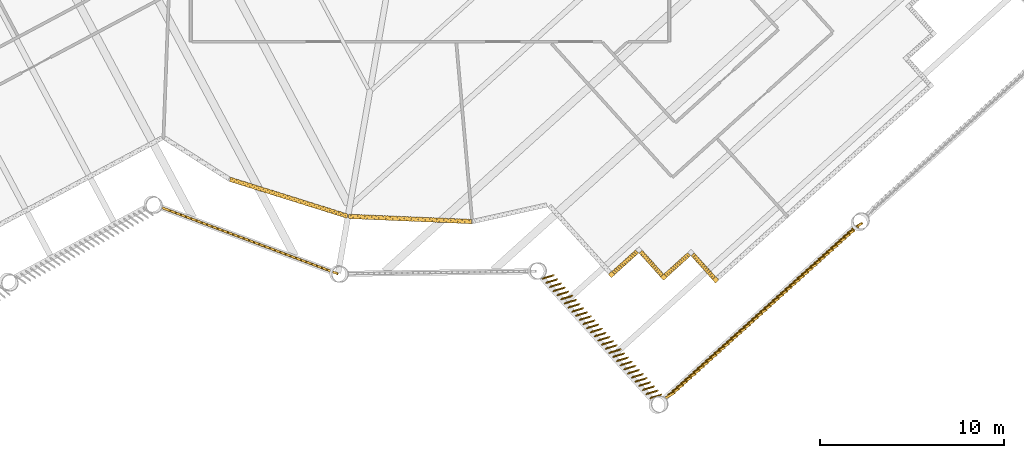
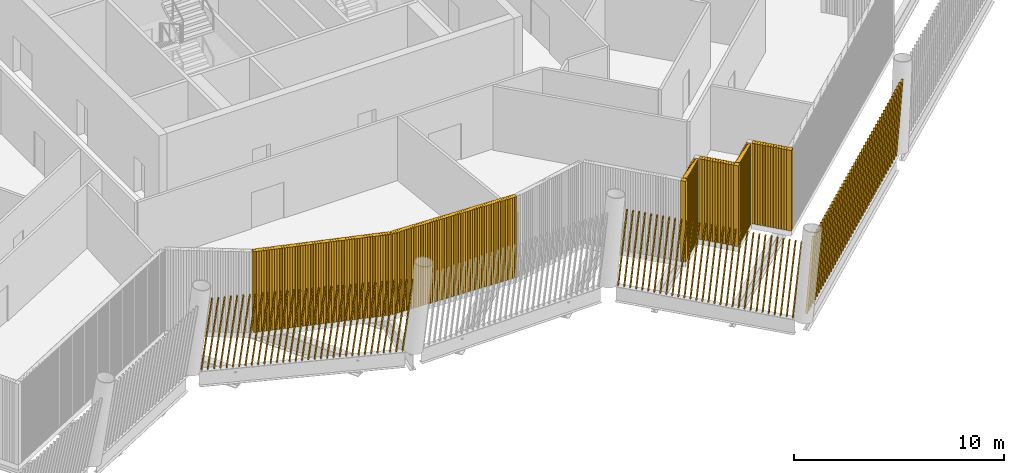
# One storey, part 11 of 21: 12 shading devices.
"""IFC4 building model written with IfcOpenShell, lengths in metres."""

from ifc_helpers import new_model, si_unit, direction, frame, frame_2d, origin, origin_2d, place, context, subcontext, project, spatial, rectangle, composite_profile, extrude, material, type_object, element, save


model = new_model("IFC4")

# Units and contexts
model_context = context("Model", 3, precision=1e-05, world=origin(), true_north=direction((0.0, 1.0)))
body_context = subcontext(model_context, "Body", "Model", "MODEL_VIEW")
ifc_project = project(units=[si_unit("LENGTHUNIT", "METRE"), si_unit("AREAUNIT", "SQUARE_METRE"), si_unit("VOLUMEUNIT", "CUBIC_METRE"), si_unit("PLANEANGLEUNIT", "RADIAN"), si_unit("MASSUNIT", "GRAM", prefix="KILO")], contexts=[model_context])

# Site, building, storey
site_placement = place(None, origin())
site = spatial("IfcSite", under=ifc_project, at=site_placement, CompositionType="ELEMENT")
building_placement = place(site_placement, origin())
building = spatial("IfcBuilding", under=site, at=building_placement, Name="Tarsis Ring Headquarters", CompositionType="ELEMENT")
storey_placement = place(building_placement, frame((0.0, 0.0, 398.60009765625)))
storey = spatial("IfcBuildingStorey", under=building, at=storey_placement, Name="L94", CompositionType="ELEMENT", Elevation=398.60009765625)

# Shading devices
ifc_material_1 = material(Name="Aluminium louvre", Category="aluminium")
shading_device_type_1 = type_object("IfcShadingDeviceType", Name="Plant louvre fin", PredefinedType="USERDEFINED", material=ifc_material_1)
shading_device_1_placement = place(storey_placement, frame((-10.88623046875, -23.469970703125, 0.0), z_axis=(0.0, 0.0, 1.0), x_axis=(0.954124441539, -0.299371617449, 0.0)))
element("IfcShadingDevice", 1, at=shading_device_1_placement, inside=storey, type_object=shading_device_type_1, Name="Louvre L94-03", ObjectType="Louvre", PredefinedType="USERDEFINED", context=body_context, shape_type="SweptSolid", body=[
    extrude(composite_profile([rectangle(XDim=0.1201171875, YDim=0.239990234375, at=frame_2d((0.076171875, 0.0), x_axis=(0.990268068742, 0.13917310096))), rectangle(XDim=0.1201171875, YDim=0.239990234375, at=frame_2d((0.202392578125, 0.0), x_axis=(0.990268068742, 0.13917310096))), rectangle(XDim=0.1201171875, YDim=0.239990234375, at=frame_2d((0.328857421875, 0.0), x_axis=(0.990268068742, 0.13917310096))), rectangle(XDim=0.1201171875, YDim=0.239990234375, at=frame_2d((0.455078125, 0.0), x_axis=(0.990268068742, 0.13917310096))), rectangle(XDim=0.1201171875, YDim=0.239990234375, at=frame_2d((0.58154296875, 0.0), x_axis=(0.990268068742, 0.13917310096))), rectangle(XDim=0.1201171875, YDim=0.239990234375, at=frame_2d((0.707763671875, 0.0), x_axis=(0.990268068742, 0.13917310096))), rectangle(XDim=0.1201171875, YDim=0.239990234375, at=frame_2d((0.834228515625, 0.0), x_axis=(0.990268068742, 0.13917310096))), rectangle(XDim=0.1201171875, YDim=0.239990234375, at=frame_2d((0.96044921875, 0.0), x_axis=(0.990268068742, 0.13917310096))), rectangle(XDim=0.1201171875, YDim=0.239990234375, at=frame_2d((1.0869140625, 0.0), x_axis=(0.990268068742, 0.13917310096))), rectangle(XDim=0.1201171875, YDim=0.239990234375, at=frame_2d((1.213134765625, 0.0), x_axis=(0.990268068742, 0.13917310096))), rectangle(XDim=0.1201171875, YDim=0.239990234375, at=frame_2d((1.33935546875, 0.0), x_axis=(0.990268068742, 0.13917310096))), rectangle(XDim=0.1201171875, YDim=0.239990234375, at=frame_2d((1.4658203125, 0.0), x_axis=(0.990268068742, 0.13917310096))), rectangle(XDim=0.1201171875, YDim=0.239990234375, at=frame_2d((1.592041015625, 0.0), x_axis=(0.990268068742, 0.13917310096))), rectangle(XDim=0.1201171875, YDim=0.239990234375, at=frame_2d((1.718505859375, 0.0), x_axis=(0.990268068742, 0.13917310096))), rectangle(XDim=0.1201171875, YDim=0.239990234375, at=frame_2d((1.8447265625, 0.0), x_axis=(0.990268068742, 0.13917310096))), rectangle(XDim=0.1201171875, YDim=0.239990234375, at=frame_2d((1.97119140625, 0.0), x_axis=(0.990268068742, 0.13917310096))), rectangle(XDim=0.1201171875, YDim=0.239990234375, at=frame_2d((2.097412109375, 0.0), x_axis=(0.990268068742, 0.13917310096))), rectangle(XDim=0.1201171875, YDim=0.239990234375, at=frame_2d((2.223876953125, 0.0), x_axis=(0.990268068742, 0.13917310096))), rectangle(XDim=0.1201171875, YDim=0.239990234375, at=frame_2d((2.35009765625, 0.0), x_axis=(0.990268068742, 0.13917310096))), rectangle(XDim=0.1201171875, YDim=0.239990234375, at=frame_2d((2.476318359375, 0.0), x_axis=(0.990268068742, 0.13917310096))), rectangle(XDim=0.1201171875, YDim=0.239990234375, at=frame_2d((2.602783203125, 0.0), x_axis=(0.990268068742, 0.13917310096))), rectangle(XDim=0.1201171875, YDim=0.239990234375, at=frame_2d((2.72900390625, 0.0), x_axis=(0.990268068742, 0.13917310096))), rectangle(XDim=0.1201171875, YDim=0.239990234375, at=frame_2d((2.85546875, 0.0), x_axis=(0.990268068742, 0.13917310096))), rectangle(XDim=0.1201171875, YDim=0.239990234375, at=frame_2d((2.981689453125, 0.0), x_axis=(0.990268068742, 0.13917310096))), rectangle(XDim=0.1201171875, YDim=0.239990234375, at=frame_2d((3.108154296875, 0.0), x_axis=(0.990268068742, 0.13917310096))), rectangle(XDim=0.1201171875, YDim=0.239990234375, at=frame_2d((3.234375, 0.0), x_axis=(0.990268068742, 0.13917310096))), rectangle(XDim=0.1201171875, YDim=0.239990234375, at=frame_2d((3.36083984375, 0.0), x_axis=(0.990268068742, 0.13917310096))), rectangle(XDim=0.1201171875, YDim=0.239990234375, at=frame_2d((3.487060546875, 0.0), x_axis=(0.990268068742, 0.13917310096))), rectangle(XDim=0.1201171875, YDim=0.239990234375, at=frame_2d((3.61328125, 0.0), x_axis=(0.990268068742, 0.13917310096))), rectangle(XDim=0.1201171875, YDim=0.239990234375, at=frame_2d((3.73974609375, 0.0), x_axis=(0.990268068742, 0.13917310096))), rectangle(XDim=0.1201171875, YDim=0.239990234375, at=frame_2d((3.865966796875, 0.0), x_axis=(0.990268068742, 0.13917310096))), rectangle(XDim=0.1201171875, YDim=0.239990234375, at=frame_2d((3.992431640625, 0.0), x_axis=(0.990268068742, 0.13917310096))), rectangle(XDim=0.1201171875, YDim=0.239990234375, at=frame_2d((4.11865234375, 0.0), x_axis=(0.990268068742, 0.13917310096))), rectangle(XDim=0.1201171875, YDim=0.239990234375, at=frame_2d((4.2451171875, 0.0), x_axis=(0.990268068742, 0.13917310096))), rectangle(XDim=0.1201171875, YDim=0.239990234375, at=frame_2d((4.371337890625, 0.0), x_axis=(0.990268068742, 0.13917310096))), rectangle(XDim=0.1201171875, YDim=0.239990234375, at=frame_2d((4.49755859375, 0.0), x_axis=(0.990268068742, 0.13917310096))), rectangle(XDim=0.1201171875, YDim=0.239990234375, at=frame_2d((4.6240234375, 0.0), x_axis=(0.990268068742, 0.13917310096))), rectangle(XDim=0.1201171875, YDim=0.239990234375, at=frame_2d((4.750244140625, 0.0), x_axis=(0.990268068742, 0.13917310096))), rectangle(XDim=0.1201171875, YDim=0.239990234375, at=frame_2d((4.876708984375, 0.0), x_axis=(0.990268068742, 0.13917310096))), rectangle(XDim=0.1201171875, YDim=0.239990234375, at=frame_2d((5.0029296875, 0.0), x_axis=(0.990268068742, 0.13917310096))), rectangle(XDim=0.1201171875, YDim=0.239990234375, at=frame_2d((5.12939453125, 0.0), x_axis=(0.990268068742, 0.13917310096))), rectangle(XDim=0.1201171875, YDim=0.239990234375, at=frame_2d((5.255615234375, 0.0), x_axis=(0.990268068742, 0.13917310096))), rectangle(XDim=0.1201171875, YDim=0.239990234375, at=frame_2d((5.382080078125, 0.0), x_axis=(0.990268068742, 0.13917310096))), rectangle(XDim=0.1201171875, YDim=0.239990234375, at=frame_2d((5.50830078125, 0.0), x_axis=(0.990268068742, 0.13917310096))), rectangle(XDim=0.1201171875, YDim=0.239990234375, at=frame_2d((5.634521484375, 0.0), x_axis=(0.990268068742, 0.13917310096))), rectangle(XDim=0.1201171875, YDim=0.239990234375, at=frame_2d((5.760986328125, 0.0), x_axis=(0.990268068742, 0.13917310096))), rectangle(XDim=0.1201171875, YDim=0.239990234375, at=frame_2d((5.88720703125, 0.0), x_axis=(0.990268068742, 0.13917310096))), rectangle(XDim=0.1201171875, YDim=0.239990234375, at=frame_2d((6.013671875, 0.0), x_axis=(0.990268068742, 0.13917310096))), rectangle(XDim=0.1201171875, YDim=0.239990234375, at=frame_2d((6.139892578125, 0.0), x_axis=(0.990268068742, 0.13917310096))), rectangle(XDim=0.1201171875, YDim=0.239990234375, at=frame_2d((6.266357421875, 0.0), x_axis=(0.990268068742, 0.13917310096))), rectangle(XDim=0.1201171875, YDim=0.239990234375, at=frame_2d((6.392578125, 0.0), x_axis=(0.990268068742, 0.13917310096))), rectangle(XDim=0.1201171875, YDim=0.239990234375, at=frame_2d((6.51904296875, 0.0), x_axis=(0.990268068742, 0.13917310096))), rectangle(XDim=0.1201171875, YDim=0.239990234375, at=frame_2d((6.645263671875, 0.0), x_axis=(0.990268068742, 0.13917310096)))]), origin(), (0.0, 0.0, 1.0), 4.699951171875),
])
shading_device_2_placement = place(storey_placement, frame((-4.44091796875, -25.48779296875, 0.0), z_axis=(0.0, 0.0, 1.0), x_axis=(0.999091965713, -0.042205433677, 0.0)))
element("IfcShadingDevice", 2, at=shading_device_2_placement, inside=storey, type_object=shading_device_type_1, Name="Louvre L94-04", ObjectType="Louvre", PredefinedType="USERDEFINED", context=body_context, shape_type="SweptSolid", body=[
    extrude(composite_profile([rectangle(XDim=0.1201171875, YDim=0.239990234375, at=frame_2d((0.076171875, 0.0), x_axis=(0.990268068742, 0.13917310096))), rectangle(XDim=0.1201171875, YDim=0.239990234375, at=frame_2d((0.202392578125, 0.0), x_axis=(0.990268068742, 0.13917310096))), rectangle(XDim=0.1201171875, YDim=0.239990234375, at=frame_2d((0.328857421875, 0.0), x_axis=(0.990268068742, 0.13917310096))), rectangle(XDim=0.1201171875, YDim=0.239990234375, at=frame_2d((0.455078125, 0.0), x_axis=(0.990268068742, 0.13917310096))), rectangle(XDim=0.1201171875, YDim=0.239990234375, at=frame_2d((0.58154296875, 0.0), x_axis=(0.990268068742, 0.13917310096))), rectangle(XDim=0.1201171875, YDim=0.239990234375, at=frame_2d((0.707763671875, 0.0), x_axis=(0.990268068742, 0.13917310096))), rectangle(XDim=0.1201171875, YDim=0.239990234375, at=frame_2d((0.834228515625, 0.0), x_axis=(0.990268068742, 0.13917310096))), rectangle(XDim=0.1201171875, YDim=0.239990234375, at=frame_2d((0.96044921875, 0.0), x_axis=(0.990268068742, 0.13917310096))), rectangle(XDim=0.1201171875, YDim=0.239990234375, at=frame_2d((1.0869140625, 0.0), x_axis=(0.990268068742, 0.13917310096))), rectangle(XDim=0.1201171875, YDim=0.239990234375, at=frame_2d((1.213134765625, 0.0), x_axis=(0.990268068742, 0.13917310096))), rectangle(XDim=0.1201171875, YDim=0.239990234375, at=frame_2d((1.339599609375, 0.0), x_axis=(0.990268068742, 0.13917310096))), rectangle(XDim=0.1201171875, YDim=0.239990234375, at=frame_2d((1.4658203125, 0.0), x_axis=(0.990268068742, 0.13917310096))), rectangle(XDim=0.1201171875, YDim=0.239990234375, at=frame_2d((1.59228515625, 0.0), x_axis=(0.990268068742, 0.13917310096))), rectangle(XDim=0.1201171875, YDim=0.239990234375, at=frame_2d((1.718505859375, 0.0), x_axis=(0.990268068742, 0.13917310096))), rectangle(XDim=0.1201171875, YDim=0.239990234375, at=frame_2d((1.8447265625, 0.0), x_axis=(0.990268068742, 0.13917310096))), rectangle(XDim=0.1201171875, YDim=0.239990234375, at=frame_2d((1.97119140625, 0.0), x_axis=(0.990268068742, 0.13917310096))), rectangle(XDim=0.1201171875, YDim=0.239990234375, at=frame_2d((2.097412109375, 0.0), x_axis=(0.990268068742, 0.13917310096))), rectangle(XDim=0.1201171875, YDim=0.239990234375, at=frame_2d((2.223876953125, 0.0), x_axis=(0.990268068742, 0.13917310096))), rectangle(XDim=0.1201171875, YDim=0.239990234375, at=frame_2d((2.35009765625, 0.0), x_axis=(0.990268068742, 0.13917310096))), rectangle(XDim=0.1201171875, YDim=0.239990234375, at=frame_2d((2.4765625, 0.0), x_axis=(0.990268068742, 0.13917310096))), rectangle(XDim=0.1201171875, YDim=0.239990234375, at=frame_2d((2.602783203125, 0.0), x_axis=(0.990268068742, 0.13917310096))), rectangle(XDim=0.1201171875, YDim=0.239990234375, at=frame_2d((2.729248046875, 0.0), x_axis=(0.990268068742, 0.13917310096))), rectangle(XDim=0.1201171875, YDim=0.239990234375, at=frame_2d((2.85546875, 0.0), x_axis=(0.990268068742, 0.13917310096))), rectangle(XDim=0.1201171875, YDim=0.239990234375, at=frame_2d((2.98193359375, 0.0), x_axis=(0.990268068742, 0.13917310096))), rectangle(XDim=0.1201171875, YDim=0.239990234375, at=frame_2d((3.108154296875, 0.0), x_axis=(0.990268068742, 0.13917310096))), rectangle(XDim=0.1201171875, YDim=0.239990234375, at=frame_2d((3.234619140625, 0.0), x_axis=(0.990268068742, 0.13917310096))), rectangle(XDim=0.1201171875, YDim=0.239990234375, at=frame_2d((3.36083984375, 0.0), x_axis=(0.990268068742, 0.13917310096))), rectangle(XDim=0.1201171875, YDim=0.239990234375, at=frame_2d((3.487060546875, 0.0), x_axis=(0.990268068742, 0.13917310096))), rectangle(XDim=0.1201171875, YDim=0.239990234375, at=frame_2d((3.613525390625, 0.0), x_axis=(0.990268068742, 0.13917310096))), rectangle(XDim=0.1201171875, YDim=0.239990234375, at=frame_2d((3.73974609375, 0.0), x_axis=(0.990268068742, 0.13917310096))), rectangle(XDim=0.1201171875, YDim=0.239990234375, at=frame_2d((3.8662109375, 0.0), x_axis=(0.990268068742, 0.13917310096))), rectangle(XDim=0.1201171875, YDim=0.239990234375, at=frame_2d((3.992431640625, 0.0), x_axis=(0.990268068742, 0.13917310096))), rectangle(XDim=0.1201171875, YDim=0.239990234375, at=frame_2d((4.118896484375, 0.0), x_axis=(0.990268068742, 0.13917310096))), rectangle(XDim=0.1201171875, YDim=0.239990234375, at=frame_2d((4.2451171875, 0.0), x_axis=(0.990268068742, 0.13917310096))), rectangle(XDim=0.1201171875, YDim=0.239990234375, at=frame_2d((4.37158203125, 0.0), x_axis=(0.990268068742, 0.13917310096))), rectangle(XDim=0.1201171875, YDim=0.239990234375, at=frame_2d((4.497802734375, 0.0), x_axis=(0.990268068742, 0.13917310096))), rectangle(XDim=0.1201171875, YDim=0.239990234375, at=frame_2d((4.624267578125, 0.0), x_axis=(0.990268068742, 0.13917310096))), rectangle(XDim=0.1201171875, YDim=0.239990234375, at=frame_2d((4.75048828125, 0.0), x_axis=(0.990268068742, 0.13917310096))), rectangle(XDim=0.1201171875, YDim=0.239990234375, at=frame_2d((4.876953125, 0.0), x_axis=(0.990268068742, 0.13917310096))), rectangle(XDim=0.1201171875, YDim=0.239990234375, at=frame_2d((5.003173828125, 0.0), x_axis=(0.990268068742, 0.13917310096))), rectangle(XDim=0.1201171875, YDim=0.239990234375, at=frame_2d((5.12939453125, 0.0), x_axis=(0.990268068742, 0.13917310096))), rectangle(XDim=0.1201171875, YDim=0.239990234375, at=frame_2d((5.255859375, 0.0), x_axis=(0.990268068742, 0.13917310096))), rectangle(XDim=0.1201171875, YDim=0.239990234375, at=frame_2d((5.382080078125, 0.0), x_axis=(0.990268068742, 0.13917310096))), rectangle(XDim=0.1201171875, YDim=0.239990234375, at=frame_2d((5.508544921875, 0.0), x_axis=(0.990268068742, 0.13917310096))), rectangle(XDim=0.1201171875, YDim=0.239990234375, at=frame_2d((5.634765625, 0.0), x_axis=(0.990268068742, 0.13917310096))), rectangle(XDim=0.1201171875, YDim=0.239990234375, at=frame_2d((5.76123046875, 0.0), x_axis=(0.990268068742, 0.13917310096))), rectangle(XDim=0.1201171875, YDim=0.239990234375, at=frame_2d((5.887451171875, 0.0), x_axis=(0.990268068742, 0.13917310096))), rectangle(XDim=0.1201171875, YDim=0.239990234375, at=frame_2d((6.013916015625, 0.0), x_axis=(0.990268068742, 0.13917310096))), rectangle(XDim=0.1201171875, YDim=0.239990234375, at=frame_2d((6.14013671875, 0.0), x_axis=(0.990268068742, 0.13917310096))), rectangle(XDim=0.1201171875, YDim=0.239990234375, at=frame_2d((6.2666015625, 0.0), x_axis=(0.990268068742, 0.13917310096))), rectangle(XDim=0.1201171875, YDim=0.239990234375, at=frame_2d((6.392822265625, 0.0), x_axis=(0.990268068742, 0.13917310096))), rectangle(XDim=0.1201171875, YDim=0.239990234375, at=frame_2d((6.519287109375, 0.0), x_axis=(0.990268068742, 0.13917310096))), rectangle(XDim=0.1201171875, YDim=0.239990234375, at=frame_2d((6.6455078125, 0.0), x_axis=(0.990268068742, 0.13917310096)))]), origin(), (0.0, 0.0, 1.0), 4.699951171875),
])
for number, where, z_axis, x_axis, name in (
    (3, (9.9599609375, -28.5634765625, 0.0), (0.0, 0.0, 1.0), (0.74229105623, 0.670154876517, 0.0), "Louvre L94-07"),
    (4, (11.435302734375, -27.399658203125, 0.0), (0.0, 0.0, 1.0), (0.670107406891, -0.742223462129, 0.0), "Louvre L94-08"),
    (5, (12.78466796875, -28.707763671875, 0.0), (0.0, 0.0, 1.0), (0.7421875, 0.670200892857, 0.0), "Louvre L94-09"),
    (6, (14.260009765625, -27.5439453125, 0.0), (0.0, 0.0, 1.0), (0.670200892857, -0.7421875, 0.0), "Louvre L94-10"),
):
    element("IfcShadingDevice", number, at=place(storey_placement, frame(where, z_axis=z_axis, x_axis=x_axis)), inside=storey, type_object=shading_device_type_1, Name=name, ObjectType="Louvre", PredefinedType="USERDEFINED", context=body_context, shape_type="SweptSolid", body=[
        extrude(composite_profile([rectangle(XDim=0.1201171875, YDim=0.239990234375, at=frame_2d((0.078125, 0.0), x_axis=(0.987688340595, 0.15643446504))), rectangle(XDim=0.1201171875, YDim=0.239990234375, at=frame_2d((0.2109375, 0.0), x_axis=(0.987688340595, 0.15643446504))), rectangle(XDim=0.1201171875, YDim=0.239990234375, at=frame_2d((0.34375, 0.0), x_axis=(0.987688340595, 0.15643446504))), rectangle(XDim=0.1201171875, YDim=0.239990234375, at=frame_2d((0.4765625, 0.0), x_axis=(0.987688340595, 0.15643446504))), rectangle(XDim=0.1201171875, YDim=0.239990234375, at=frame_2d((0.609375, 0.0), x_axis=(0.987688340595, 0.15643446504))), rectangle(XDim=0.1201171875, YDim=0.239990234375, at=frame_2d((0.7421875, 0.0), x_axis=(0.987688340595, 0.15643446504))), rectangle(XDim=0.1201171875, YDim=0.239990234375, at=frame_2d((0.875, 0.0), x_axis=(0.987688340595, 0.15643446504))), rectangle(XDim=0.1201171875, YDim=0.239990234375, at=frame_2d((1.0078125, 0.0), x_axis=(0.987688340595, 0.15643446504))), rectangle(XDim=0.1201171875, YDim=0.239990234375, at=frame_2d((1.140625, 0.0), x_axis=(0.987688340595, 0.15643446504))), rectangle(XDim=0.1201171875, YDim=0.239990234375, at=frame_2d((1.2734375, 0.0), x_axis=(0.987688340595, 0.15643446504))), rectangle(XDim=0.1201171875, YDim=0.239990234375, at=frame_2d((1.40625, 0.0), x_axis=(0.987688340595, 0.15643446504))), rectangle(XDim=0.1201171875, YDim=0.239990234375, at=frame_2d((1.5390625, 0.0), x_axis=(0.987688340595, 0.15643446504))), rectangle(XDim=0.1201171875, YDim=0.239990234375, at=frame_2d((1.671875, 0.0), x_axis=(0.987688340595, 0.15643446504)))]), origin(), (0.0, 0.0, 1.0), 4.699951171875),
    ])
ifc_material_2 = material(Name="Terracotta baguette", Category="masonry")
shading_device_type_2 = type_object("IfcShadingDeviceType", Name="Terracotta baguette screen", PredefinedType="USERDEFINED", material=ifc_material_2)
shading_device_3_placement = place(storey_placement, frame((6.1015625, -28.841552734375, 0.0), z_axis=(0.0, 0.0, 1.0), x_axis=(0.670160552367, -0.742201147991, 0.0)))
element("IfcShadingDevice", 7, at=shading_device_3_placement, inside=storey, type_object=shading_device_type_2, Name="Baguette screen L94-01", ObjectType="Terracotta baguette screen", PredefinedType="USERDEFINED", context=body_context, shape_type="SweptSolid", body=[
    extrude(composite_profile([rectangle(XDim=0.06005859375, YDim=0.1201171875, at=frame_2d((0.030029296875, 0.0))), rectangle(XDim=0.06005859375, YDim=0.1201171875, at=frame_2d((0.33154296875, 0.0))), rectangle(XDim=0.06005859375, YDim=0.1201171875, at=frame_2d((0.633056640625, 0.0))), rectangle(XDim=0.06005859375, YDim=0.1201171875, at=frame_2d((0.9345703125, 0.0))), rectangle(XDim=0.06005859375, YDim=0.1201171875, at=frame_2d((1.236083984375, 0.0))), rectangle(XDim=0.06005859375, YDim=0.1201171875, at=frame_2d((1.53759765625, 0.0))), rectangle(XDim=0.06005859375, YDim=0.1201171875, at=frame_2d((1.839111328125, 0.0))), rectangle(XDim=0.06005859375, YDim=0.1201171875, at=frame_2d((2.140625, 0.0))), rectangle(XDim=0.06005859375, YDim=0.1201171875, at=frame_2d((2.442138671875, 0.0))), rectangle(XDim=0.06005859375, YDim=0.1201171875, at=frame_2d((2.74365234375, 0.0))), rectangle(XDim=0.06005859375, YDim=0.1201171875, at=frame_2d((3.045166015625, 0.0))), rectangle(XDim=0.06005859375, YDim=0.1201171875, at=frame_2d((3.3466796875, 0.0))), rectangle(XDim=0.06005859375, YDim=0.1201171875, at=frame_2d((3.648193359375, 0.0))), rectangle(XDim=0.06005859375, YDim=0.1201171875, at=frame_2d((3.94970703125, 0.0))), rectangle(XDim=0.06005859375, YDim=0.1201171875, at=frame_2d((4.251220703125, 0.0))), rectangle(XDim=0.06005859375, YDim=0.1201171875, at=frame_2d((4.552978515625, 0.0))), rectangle(XDim=0.06005859375, YDim=0.1201171875, at=frame_2d((4.8544921875, 0.0))), rectangle(XDim=0.06005859375, YDim=0.1201171875, at=frame_2d((5.156005859375, 0.0))), rectangle(XDim=0.06005859375, YDim=0.1201171875, at=frame_2d((5.45751953125, 0.0))), rectangle(XDim=0.06005859375, YDim=0.1201171875, at=frame_2d((5.759033203125, 0.0))), rectangle(XDim=0.06005859375, YDim=0.1201171875, at=frame_2d((6.060546875, 0.0))), rectangle(XDim=0.06005859375, YDim=0.1201171875, at=frame_2d((6.362060546875, 0.0))), rectangle(XDim=0.06005859375, YDim=0.1201171875, at=frame_2d((6.66357421875, 0.0))), rectangle(XDim=0.06005859375, YDim=0.1201171875, at=frame_2d((6.965087890625, 0.0))), rectangle(XDim=0.06005859375, YDim=0.1201171875, at=frame_2d((7.2666015625, 0.0))), rectangle(XDim=0.06005859375, YDim=0.1201171875, at=frame_2d((7.568115234375, 0.0))), rectangle(XDim=0.06005859375, YDim=0.1201171875, at=frame_2d((7.86962890625, 0.0))), rectangle(XDim=0.06005859375, YDim=0.1201171875, at=frame_2d((8.171142578125, 0.0))), rectangle(XDim=0.06005859375, YDim=0.1201171875, at=frame_2d((8.47265625, 0.0))), rectangle(XDim=0.06005859375, YDim=0.1201171875, at=frame_2d((8.774169921875, 0.0)))]), origin(), (0.063691977401, 0.131656840746, 0.989247091631), 4.14013671875),
])
shading_device_4_placement = place(storey_placement, frame((12.708251953125, -35.412353515625, 0.0), z_axis=(0.0, 0.0, 1.0), x_axis=(0.742202565237, 0.670163644405, 0.0)))
element("IfcShadingDevice", 8, at=shading_device_4_placement, inside=storey, type_object=shading_device_type_2, Name="Baguette screen L94-02", ObjectType="Terracotta baguette screen", PredefinedType="USERDEFINED", context=body_context, shape_type="SweptSolid", body=[
    extrude(composite_profile([rectangle(XDim=0.06005859375, YDim=0.1201171875, at=frame_2d((0.030029296875, 0.0))), rectangle(XDim=0.06005859375, YDim=0.1201171875, at=frame_2d((0.33544921875, 0.0))), rectangle(XDim=0.06005859375, YDim=0.1201171875, at=frame_2d((0.640625, 0.0))), rectangle(XDim=0.06005859375, YDim=0.1201171875, at=frame_2d((0.946044921875, 0.0))), rectangle(XDim=0.06005859375, YDim=0.1201171875, at=frame_2d((1.25146484375, 0.0))), rectangle(XDim=0.06005859375, YDim=0.1201171875, at=frame_2d((1.556640625, 0.0))), rectangle(XDim=0.06005859375, YDim=0.1201171875, at=frame_2d((1.862060546875, 0.0))), rectangle(XDim=0.06005859375, YDim=0.1201171875, at=frame_2d((2.16748046875, 0.0))), rectangle(XDim=0.06005859375, YDim=0.1201171875, at=frame_2d((2.47265625, 0.0))), rectangle(XDim=0.06005859375, YDim=0.1201171875, at=frame_2d((2.778076171875, 0.0))), rectangle(XDim=0.06005859375, YDim=0.1201171875, at=frame_2d((3.08349609375, 0.0))), rectangle(XDim=0.06005859375, YDim=0.1201171875, at=frame_2d((3.388671875, 0.0))), rectangle(XDim=0.06005859375, YDim=0.1201171875, at=frame_2d((3.694091796875, 0.0))), rectangle(XDim=0.06005859375, YDim=0.1201171875, at=frame_2d((3.99951171875, 0.0))), rectangle(XDim=0.06005859375, YDim=0.1201171875, at=frame_2d((4.3046875, 0.0))), rectangle(XDim=0.06005859375, YDim=0.1201171875, at=frame_2d((4.610107421875, 0.0))), rectangle(XDim=0.06005859375, YDim=0.1201171875, at=frame_2d((4.91552734375, 0.0))), rectangle(XDim=0.06005859375, YDim=0.1201171875, at=frame_2d((5.220703125, 0.0))), rectangle(XDim=0.06005859375, YDim=0.1201171875, at=frame_2d((5.526123046875, 0.0))), rectangle(XDim=0.06005859375, YDim=0.1201171875, at=frame_2d((5.83154296875, 0.0))), rectangle(XDim=0.06005859375, YDim=0.1201171875, at=frame_2d((6.13671875, 0.0))), rectangle(XDim=0.06005859375, YDim=0.1201171875, at=frame_2d((6.442138671875, 0.0))), rectangle(XDim=0.06005859375, YDim=0.1201171875, at=frame_2d((6.74755859375, 0.0))), rectangle(XDim=0.06005859375, YDim=0.1201171875, at=frame_2d((7.052734375, 0.0))), rectangle(XDim=0.06005859375, YDim=0.1201171875, at=frame_2d((7.358154296875, 0.0))), rectangle(XDim=0.06005859375, YDim=0.1201171875, at=frame_2d((7.66357421875, 0.0))), rectangle(XDim=0.06005859375, YDim=0.1201171875, at=frame_2d((7.96875, 0.0))), rectangle(XDim=0.06005859375, YDim=0.1201171875, at=frame_2d((8.274169921875, 0.0))), rectangle(XDim=0.06005859375, YDim=0.1201171875, at=frame_2d((8.57958984375, 0.0))), rectangle(XDim=0.06005859375, YDim=0.1201171875, at=frame_2d((8.884765625, 0.0))), rectangle(XDim=0.06005859375, YDim=0.1201171875, at=frame_2d((9.190185546875, 0.0))), rectangle(XDim=0.06005859375, YDim=0.1201171875, at=frame_2d((9.49560546875, 0.0))), rectangle(XDim=0.06005859375, YDim=0.1201171875, at=frame_2d((9.80078125, 0.0))), rectangle(XDim=0.06005859375, YDim=0.1201171875, at=frame_2d((10.106201171875, 0.0))), rectangle(XDim=0.06005859375, YDim=0.1201171875, at=frame_2d((10.41162109375, 0.0))), rectangle(XDim=0.06005859375, YDim=0.1201171875, at=frame_2d((10.716796875, 0.0))), rectangle(XDim=0.06005859375, YDim=0.1201171875, at=frame_2d((11.022216796875, 0.0))), rectangle(XDim=0.06005859375, YDim=0.1201171875, at=frame_2d((11.32763671875, 0.0))), rectangle(XDim=0.06005859375, YDim=0.1201171875, at=frame_2d((11.6328125, 0.0))), rectangle(XDim=0.06005859375, YDim=0.1201171875, at=frame_2d((11.938232421875, 0.0))), rectangle(XDim=0.06005859375, YDim=0.1201171875, at=frame_2d((12.24365234375, 0.0))), rectangle(XDim=0.06005859375, YDim=0.1201171875, at=frame_2d((12.548828125, 0.0))), rectangle(XDim=0.06005859375, YDim=0.1201171875, at=frame_2d((12.854248046875, 0.0))), rectangle(XDim=0.06005859375, YDim=0.1201171875, at=frame_2d((13.15966796875, 0.0))), rectangle(XDim=0.06005859375, YDim=0.1201171875, at=frame_2d((13.46484375, 0.0))), rectangle(XDim=0.06005859375, YDim=0.1201171875, at=frame_2d((13.770263671875, 0.0)))]), origin(), (0.152629616041, -0.031011043424, 0.987796798685), 4.146240234375),
])
shading_device_5_placement = place(storey_placement, frame((-14.618896484375, -24.999267578125, 0.0), z_axis=(0.0, 0.0, 1.0), x_axis=(0.936016589217, -0.351921251187, 0.0)))
element("IfcShadingDevice", 9, at=shading_device_5_placement, inside=storey, type_object=shading_device_type_2, Name="Baguette screen L94-19", ObjectType="Terracotta baguette screen", PredefinedType="USERDEFINED", context=body_context, shape_type="SweptSolid", body=[
    extrude(composite_profile([rectangle(XDim=0.06005859375, YDim=0.1201171875, at=frame_2d((0.030029296875, 0.0))), rectangle(XDim=0.06005859375, YDim=0.1201171875, at=frame_2d((0.33349609375, 0.0))), rectangle(XDim=0.06005859375, YDim=0.1201171875, at=frame_2d((0.636962890625, 0.0))), rectangle(XDim=0.06005859375, YDim=0.1201171875, at=frame_2d((0.9404296875, 0.0))), rectangle(XDim=0.06005859375, YDim=0.1201171875, at=frame_2d((1.243896484375, 0.0))), rectangle(XDim=0.06005859375, YDim=0.1201171875, at=frame_2d((1.54736328125, 0.0))), rectangle(XDim=0.06005859375, YDim=0.1201171875, at=frame_2d((1.85107421875, 0.0))), rectangle(XDim=0.06005859375, YDim=0.1201171875, at=frame_2d((2.154541015625, 0.0))), rectangle(XDim=0.06005859375, YDim=0.1201171875, at=frame_2d((2.4580078125, 0.0))), rectangle(XDim=0.06005859375, YDim=0.1201171875, at=frame_2d((2.761474609375, 0.0))), rectangle(XDim=0.06005859375, YDim=0.1201171875, at=frame_2d((3.06494140625, 0.0))), rectangle(XDim=0.06005859375, YDim=0.1201171875, at=frame_2d((3.368408203125, 0.0))), rectangle(XDim=0.06005859375, YDim=0.1201171875, at=frame_2d((3.671875, 0.0))), rectangle(XDim=0.06005859375, YDim=0.1201171875, at=frame_2d((3.975341796875, 0.0))), rectangle(XDim=0.06005859375, YDim=0.1201171875, at=frame_2d((4.27880859375, 0.0))), rectangle(XDim=0.06005859375, YDim=0.1201171875, at=frame_2d((4.582275390625, 0.0))), rectangle(XDim=0.06005859375, YDim=0.1201171875, at=frame_2d((4.8857421875, 0.0))), rectangle(XDim=0.06005859375, YDim=0.1201171875, at=frame_2d((5.189453125, 0.0))), rectangle(XDim=0.06005859375, YDim=0.1201171875, at=frame_2d((5.492919921875, 0.0))), rectangle(XDim=0.06005859375, YDim=0.1201171875, at=frame_2d((5.79638671875, 0.0))), rectangle(XDim=0.06005859375, YDim=0.1201171875, at=frame_2d((6.099853515625, 0.0))), rectangle(XDim=0.06005859375, YDim=0.1201171875, at=frame_2d((6.4033203125, 0.0))), rectangle(XDim=0.06005859375, YDim=0.1201171875, at=frame_2d((6.706787109375, 0.0))), rectangle(XDim=0.06005859375, YDim=0.1201171875, at=frame_2d((7.01025390625, 0.0))), rectangle(XDim=0.06005859375, YDim=0.1201171875, at=frame_2d((7.313720703125, 0.0))), rectangle(XDim=0.06005859375, YDim=0.1201171875, at=frame_2d((7.6171875, 0.0))), rectangle(XDim=0.06005859375, YDim=0.1201171875, at=frame_2d((7.920654296875, 0.0))), rectangle(XDim=0.06005859375, YDim=0.1201171875, at=frame_2d((8.224365234375, 0.0))), rectangle(XDim=0.06005859375, YDim=0.1201171875, at=frame_2d((8.52783203125, 0.0))), rectangle(XDim=0.06005859375, YDim=0.1201171875, at=frame_2d((8.831298828125, 0.0))), rectangle(XDim=0.06005859375, YDim=0.1201171875, at=frame_2d((9.134765625, 0.0))), rectangle(XDim=0.06005859375, YDim=0.1201171875, at=frame_2d((9.438232421875, 0.0))), rectangle(XDim=0.06005859375, YDim=0.1201171875, at=frame_2d((9.74169921875, 0.0)))]), origin(), (0.125496940962, 0.001139133655, 0.992093352555), 4.12841796875),
])
shading_device_type_3 = type_object("IfcShadingDeviceType", Name="Terracotta corner baguette 250x250", PredefinedType="USERDEFINED", material=ifc_material_2)
for number, where, z_axis, x_axis, name in (
    (10, (9.8671875, -28.647216796875, 0.0), (0.0, 0.0, 1.0), (0.670167696277, -0.742209713535, 0.0), "Corner baguette L94-07"),
    (11, (12.69189453125, -28.79150390625, 0.0), (0.0, 0.0, 1.0), (0.670167450151, -0.742209935771, 0.0), "Corner baguette L94-09"),
    (12, (15.5166015625, -28.935546875, 0.0), (0.0, 0.0, 1.0), (0.670167450151, -0.742209935771, 0.0), "Corner baguette L94-11"),
):
    element("IfcShadingDevice", number, at=place(storey_placement, frame(where, z_axis=z_axis, x_axis=x_axis)), inside=storey, type_object=shading_device_type_3, Name=name, ObjectType="Terracotta corner baguette", PredefinedType="USERDEFINED", context=body_context, shape_type="SweptSolid", body=[
        extrude(rectangle(XDim=0.25, YDim=0.25, at=origin_2d()), origin(), (0.0, 0.0, 1.0), 4.699951171875),
    ])

save(model, "model.ifc")
